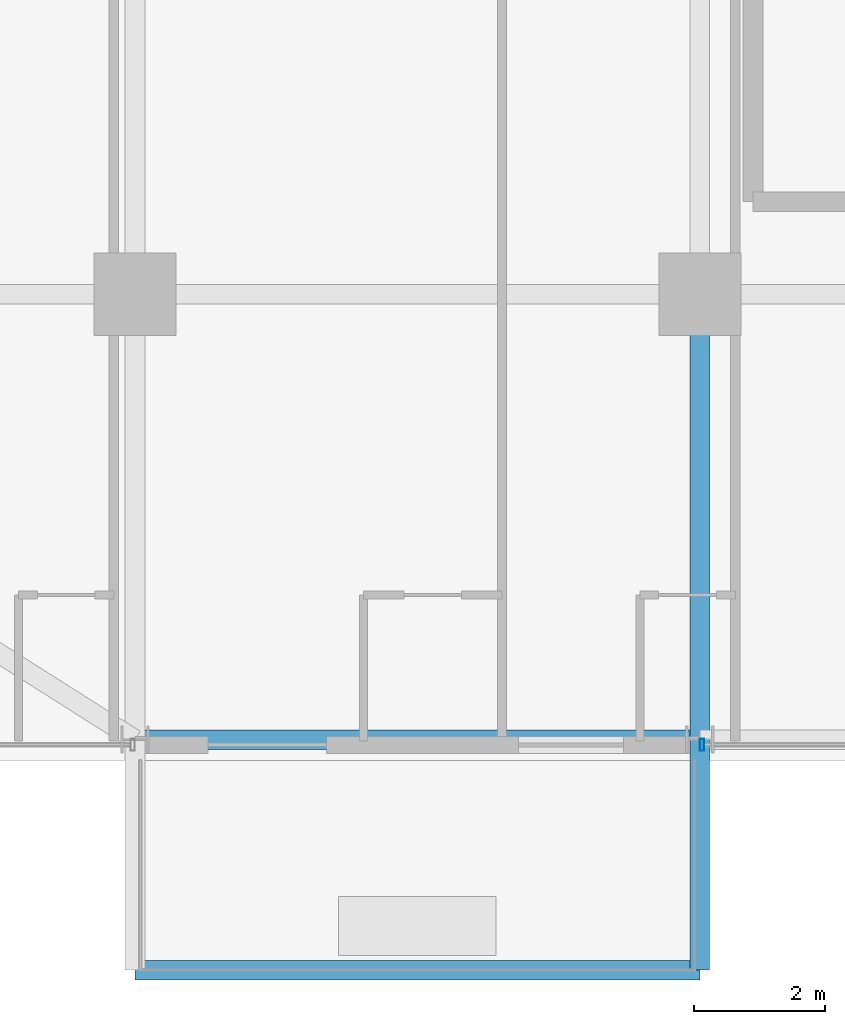
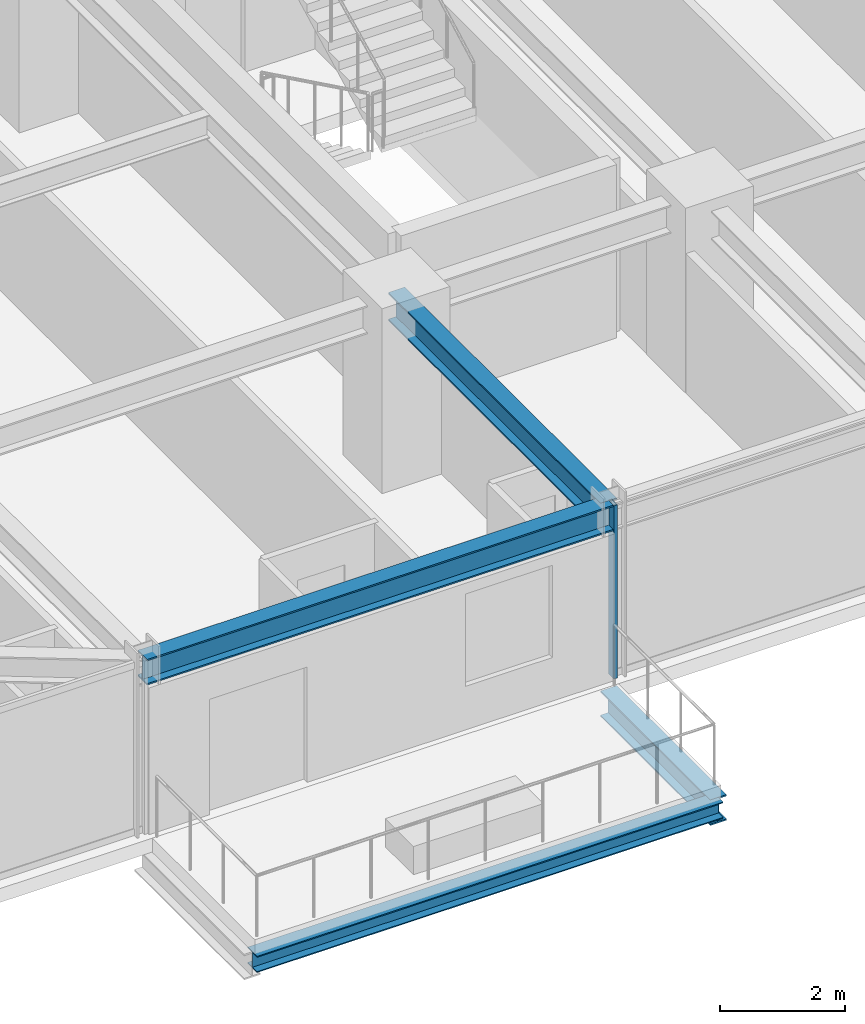
# One storey, part 3 of 33: 4 beams, 1 member, 1 element without a shape of its own.
"""IFC4 building model written with IfcOpenShell, lengths in metres."""

from ifc_helpers import new_model, si_unit, direction, frame, origin, origin_2d, place, context, subcontext, project, spatial, hollow_rectangle, i_section, extrude, source, transform, mapped, material, material_profile, profile_set, type_object, element, aggregate, save


model = new_model("IFC4")

# Units and contexts
model_context = context("Model", 3, precision=1e-05, world=origin(), true_north=direction((0.0, 1.0)))
body_context = subcontext(model_context, "Body", "Model", "MODEL_VIEW")
ifc_project = project(units=[si_unit("LENGTHUNIT", "METRE"), si_unit("AREAUNIT", "SQUARE_METRE"), si_unit("VOLUMEUNIT", "CUBIC_METRE"), si_unit("PLANEANGLEUNIT", "RADIAN"), si_unit("MASSUNIT", "GRAM", prefix="KILO")], contexts=[model_context])

# Site, building, storey
site_placement = place(None, origin())
site = spatial("IfcSite", under=ifc_project, at=site_placement, CompositionType="ELEMENT")
building_placement = place(site_placement, origin())
building = spatial("IfcBuilding", under=site, at=building_placement, Name="Nahalor Promenade Grand Hotel", CompositionType="ELEMENT")
storey_placement = place(building_placement, frame((0.0, 0.0, 132.10009765625)))
storey = spatial("IfcBuildingStorey", under=building, at=storey_placement, Name="L33", CompositionType="ELEMENT", Elevation=132.10009765625)

# Beams
ifc_material_1 = material(Name="Steel S355JR", Category="steel")
ifc_material_profile_1 = material_profile(ifc_material_1, i_section(OverallWidth=0.3, OverallDepth=0.32, WebThickness=0.0115, FlangeThickness=0.0205, at=origin_2d()), Name="HEB 320")
ifc_profile_set_1 = profile_set([ifc_material_profile_1], Name="Steel S355JR")
beam_type_1 = type_object("IfcBeamType", Name="Beam-BalcEdge-HEB320", PredefinedType="SPANDREL", material=ifc_profile_set_1)
shared_shape_1 = source(origin(), body_context, "Body", "SweptSolid", [
    extrude(i_section(OverallWidth=0.3, OverallDepth=0.32, WebThickness=0.0115, FlangeThickness=0.0205, at=origin_2d()), origin(), (0.0, 0.0, 1.0), 8.60009765625),
])
beam_1_placement = place(storey_placement, frame((-17.0, -27.2900390625, -0.440185546875), z_axis=(1.0, 0.0, 0.0), x_axis=(0.0, 1.0, 0.0)))
element("IfcBeam", 1, at=beam_1_placement, inside=storey, type_object=beam_type_1, Name="BM-L33-BC-01-F", PredefinedType="SPANDREL", context=body_context, shape_type="MappedRepresentation", body=[
    mapped(shared_shape_1, transform((0.0, 0.0, 0.0), scale=1.0)),
])
ifc_material_profile_2 = material_profile(ifc_material_1, i_section(OverallWidth=0.3, OverallDepth=0.5, WebThickness=0.0145, FlangeThickness=0.028, at=origin_2d()), Name="HEB 500")
ifc_profile_set_2 = profile_set([ifc_material_profile_2], Name="Steel S355JR")
beam_type_2 = type_object("IfcBeamType", Name="Beam-Outrigger-HEB500", PredefinedType="BEAM", material=ifc_profile_set_2)
shared_shape_2 = source(origin(), body_context, "Body", "SweptSolid", [
    extrude(i_section(OverallWidth=0.3, OverallDepth=0.5, WebThickness=0.0145, FlangeThickness=0.028, at=origin_2d()), origin(), (0.0, 0.0, 1.0), 3.510009765625),
])
beam_2_placement = place(storey_placement, frame((-8.39990234375, -27.2900390625, -0.530029296875), z_axis=(0.0, 1.0, 0.0), x_axis=(-1.0, 0.0, 0.0)))
element("IfcBeam", 2, at=beam_2_placement, inside=storey, type_object=beam_type_2, Name="BM-L33-BC-01-2", PredefinedType="BEAM", context=body_context, shape_type="MappedRepresentation", body=[
    mapped(shared_shape_2, transform((0.0, 0.0, 0.0), scale=1.0)),
])
ifc_material_profile_3 = material_profile(ifc_material_1, i_section(OverallWidth=0.3, OverallDepth=0.5, WebThickness=0.0145, FlangeThickness=0.028, at=origin_2d()), Name="HEB 500")
ifc_profile_set_3 = profile_set([ifc_material_profile_3], Name="Steel S355JR")
beam_type_3 = type_object("IfcBeamType", Name="Beam-Spandrel-HEB500", PredefinedType="SPANDREL", material=ifc_profile_set_3)
shared_shape_3 = source(origin(), body_context, "Body", "SweptSolid", [
    extrude(i_section(OverallWidth=0.3, OverallDepth=0.5, WebThickness=0.0145, FlangeThickness=0.028, at=origin_2d()), origin(), (0.0, 0.0, 1.0), 8.60009765625),
])
beam_3_placement = place(storey_placement, frame((-17.0, -23.780029296875, 3.1298828125), z_axis=(1.0, 0.0, 0.0), x_axis=(0.0, 1.0, 0.0)))
element("IfcBeam", 3, at=beam_3_placement, inside=storey, type_object=beam_type_3, Name="BM-L33-SP-S-0", PredefinedType="SPANDREL", context=body_context, shape_type="MappedRepresentation", body=[
    mapped(shared_shape_3, transform((0.0, 0.0, 0.0), scale=1.0)),
])
ifc_material_profile_4 = material_profile(ifc_material_1, i_section(OverallWidth=0.3, OverallDepth=0.55, WebThickness=0.015, FlangeThickness=0.029, at=origin_2d()), Name="HEB 550")
ifc_profile_set_4 = profile_set([ifc_material_profile_4], Name="Steel S355JR")
beam_type_4 = type_object("IfcBeamType", Name="Beam-Girder-HEB550", PredefinedType="BEAM", material=ifc_profile_set_4)
shared_shape_4 = source(origin(), body_context, "Body", "SweptSolid", [
    extrude(i_section(OverallWidth=0.3, OverallDepth=0.55, WebThickness=0.015, FlangeThickness=0.029, at=origin_2d()), origin(), (0.0, 0.0, 1.0), 6.780029296875),
])
beam_4_placement = place(storey_placement, frame((-8.39990234375, -23.780029296875, 3.10498046875), z_axis=(0.0, 1.0, 0.0), x_axis=(-1.0, 0.0, 0.0)))
element("IfcBeam", 4, at=beam_4_placement, inside=storey, type_object=beam_type_4, Name="BM-L33-GY-1-0", PredefinedType="BEAM", context=body_context, shape_type="MappedRepresentation", body=[
    mapped(shared_shape_4, transform((0.0, 0.0, 0.0), scale=1.0)),
])

# Curtain wall, member
ifc_material_2 = material(Name="Anodised Bronze Aluminium EN AW-6063 T6", Category="aluminium")
curtain_wall_type = type_object("IfcCurtainWallType", Name="CW2 Typical Hotel Flush Bronze Unitised Curtain Wall", PredefinedType="USERDEFINED", material=ifc_material_2)
curtain_wall_placement = place(storey_placement, origin())
curtain_wall = element("IfcCurtainWall", 5, at=curtain_wall_placement, inside=storey, type_object=curtain_wall_type, Name="L33 Curtain Wall CW-L33-S-3", ObjectType="UNITISED_CURTAIN_WALL", PredefinedType="USERDEFINED")
ifc_material_profile_5 = material_profile(ifc_material_2, hollow_rectangle(XDim=0.065, YDim=0.18, WallThickness=0.004, at=origin_2d()), Name="CWM 65x180x4")
ifc_profile_set_5 = profile_set([ifc_material_profile_5], Name="Anodised Bronze Aluminium EN AW-6063 T6")
member_type = type_object("IfcMemberType", Name="CWM2 Typical Bronze Mullion 65x180", PredefinedType="MULLION", material=ifc_profile_set_5)
shared_shape_5 = source(origin(), body_context, "Body", "SweptSolid", [
    extrude(hollow_rectangle(XDim=0.065, YDim=0.18, WallThickness=0.004, at=origin_2d()), origin(), (0.0, 0.0, 1.0), 3.3798828125),
])
member_placement = place(storey_placement, frame((-8.367431640625, -23.860107421875, 0.0), z_axis=(0.0, 0.0, 1.0), x_axis=(1.0, 0.0, 0.0)))
member = element("IfcMember", 6, at=member_placement, type_object=member_type, Name="CW-L33-S-3 Mullion 0", PredefinedType="MULLION", context=body_context, shape_type="MappedRepresentation", body=[
    mapped(shared_shape_5, transform((0.0, 0.0, 0.0), scale=1.0)),
])
aggregate(curtain_wall, [member])

save(model, "model.ifc")
